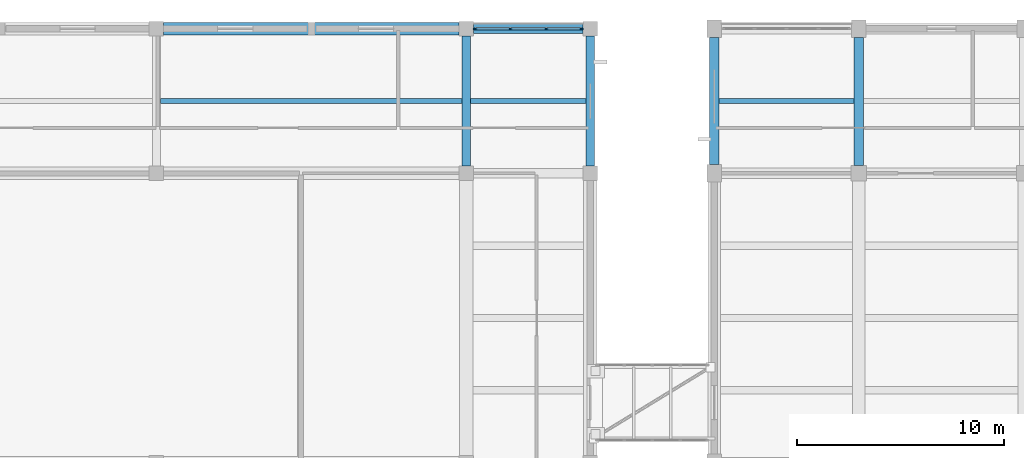
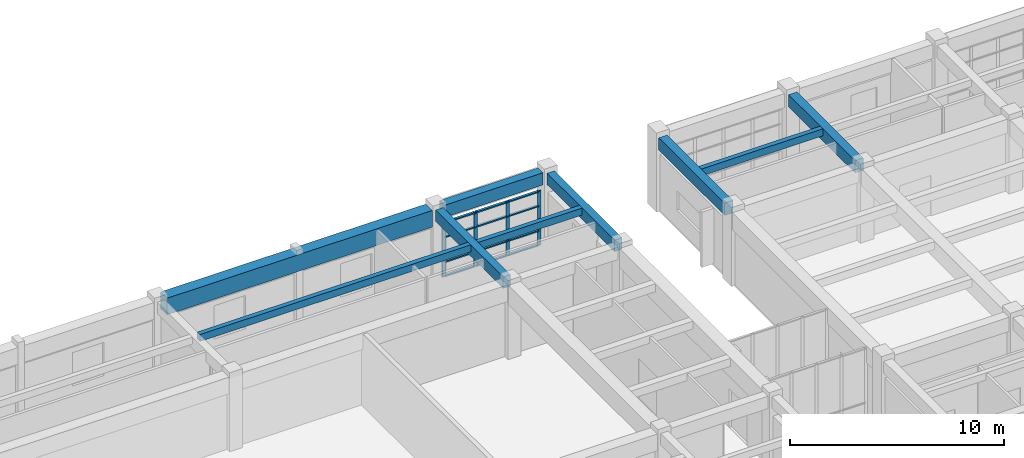
# One storey, part 29 of 70: 16 members, 9 beams, 1 element without a shape of its own.
"""IFC4 building model written with IfcOpenShell, lengths in metres."""

from ifc_helpers import new_model, si_unit, direction, frame, origin, origin_2d, place, context, subcontext, project, spatial, rectangle, extrude, material, layer, layer_set, material_profile, profile_set, type_object, element, aggregate, save


model = new_model("IFC4")

# Units and contexts
model_context = context("Model", 3, precision=1e-05, world=origin(), true_north=direction((0.0, 1.0)))
body_context = subcontext(model_context, "Body", "Model", "MODEL_VIEW")
ifc_project = project(units=[si_unit("LENGTHUNIT", "METRE"), si_unit("AREAUNIT", "SQUARE_METRE"), si_unit("VOLUMEUNIT", "CUBIC_METRE"), si_unit("PLANEANGLEUNIT", "RADIAN"), si_unit("MASSUNIT", "GRAM", prefix="KILO")], contexts=[model_context])

# Site, building, storey
site_placement = place(None, origin())
site = spatial("IfcSite", under=ifc_project, at=site_placement, CompositionType="ELEMENT")
building_placement = place(site_placement, origin())
building = spatial("IfcBuilding", under=site, at=building_placement, Name="Naurynzar Civic Courthouse", CompositionType="ELEMENT")
storey_placement = place(building_placement, frame((0.0, 0.0, 5.39990234375)))
storey = spatial("IfcBuildingStorey", under=building, at=storey_placement, Name="L02", CompositionType="ELEMENT", Elevation=5.39990234375)

# Beams
ifc_material_1 = material(Name="Concrete C40/50", Category="concrete")
ifc_material_profile_1 = material_profile(ifc_material_1, rectangle(XDim=0.25, YDim=0.39990234375, at=origin_2d()), Name="RCB 250x400")
ifc_profile_set_1 = profile_set([ifc_material_profile_1], Name="Concrete C40/50")
beam_type_1 = type_object("IfcBeamType", Name="BM-JST-250x400", PredefinedType="JOIST", material=ifc_profile_set_1)
beam_1_placement = place(storey_placement, frame((35.199951171875, 68.5, 4.030029296875), z_axis=(1.0, 0.0, 0.0), x_axis=(0.0, 1.0, 0.0)))
element("IfcBeam", 1, at=beam_1_placement, inside=storey, type_object=beam_type_1, Name="V1 secondary rib 163 L02", PredefinedType="JOIST", context=body_context, shape_type="SweptSolid", body=[
    extrude(rectangle(XDim=0.25, YDim=0.39990234375, at=origin_2d()), origin(), (0.0, 0.0, 1.0), 14.60009765625),
])
beam_2_placement = place(storey_placement, frame((50.199951171875, 68.5, 4.030029296875), z_axis=(1.0, 0.0, 0.0), x_axis=(0.0, 1.0, 0.0)))
element("IfcBeam", 2, at=beam_2_placement, inside=storey, type_object=beam_type_1, Name="V1 secondary rib 164 L02", PredefinedType="JOIST", context=body_context, shape_type="SweptSolid", body=[
    extrude(rectangle(XDim=0.25, YDim=0.39990234375, at=origin_2d()), origin(), (0.0, 0.0, 1.0), 5.60009765625),
])
beam_3_placement = place(storey_placement, frame((62.22509765625, 68.5, 4.0), z_axis=(1.0, 0.0, 0.0), x_axis=(0.0, 1.0, 0.0)))
element("IfcBeam", 3, at=beam_3_placement, inside=storey, type_object=beam_type_1, Name="V2 secondary rib 554 L02", PredefinedType="JOIST", context=body_context, shape_type="SweptSolid", body=[
    extrude(rectangle(XDim=0.25, YDim=0.39990234375, at=origin_2d()), origin(), (0.0, 0.0, 1.0), 6.5498046875),
])
ifc_material_2 = material(Name="Concrete C40/50", Category="concrete")
ifc_material_profile_2 = material_profile(ifc_material_2, rectangle(XDim=0.60009765625, YDim=0.949951171875, at=origin_2d()), Name="PTB 600x950")
ifc_profile_set_2 = profile_set([ifc_material_profile_2], Name="Concrete C40/50")
beam_type_2 = type_object("IfcBeamType", Name="BM-PT-600x950", PredefinedType="T_BEAM", material=ifc_profile_set_2)
beam_4_placement = place(storey_placement, frame((35.35009765625, 72.0, 3.755126953125), z_axis=(1.0, 0.0, 0.0), x_axis=(0.0, 1.0, 0.0)))
element("IfcBeam", 4, at=beam_4_placement, inside=storey, type_object=beam_type_2, Name="V1 beam X-133 L02", PredefinedType="T_BEAM", context=body_context, shape_type="SweptSolid", body=[
    extrude(rectangle(XDim=0.60009765625, YDim=0.949951171875, at=origin_2d()), origin(), (0.0, 0.0, 1.0), 14.2998046875),
])
ifc_material_3 = material(Name="Concrete C40/50", Category="concrete")
ifc_material_profile_3 = material_profile(ifc_material_3, rectangle(XDim=0.39990234375, YDim=0.64990234375, at=origin_2d()), Name="RCB 400x650")
ifc_profile_set_3 = profile_set([ifc_material_profile_3], Name="Concrete C40/50")
beam_type_3 = type_object("IfcBeamType", Name="BM-RC-400x650", PredefinedType="BEAM", material=ifc_profile_set_3)
for number, where, z_axis, x_axis, name in (
    (5, (50.0, 65.35009765625, 3.905029296875), (0.0, 1.0, 0.0), (-1.0, 0.0, 0.0), "V1 girder Y-148 L02"),
    (6, (56.0, 65.35009765625, 3.905029296875), (0.0, 1.0, 0.0), (-1.0, 0.0, 0.0), "V1 girder Y-151 L02"),
):
    element("IfcBeam", number, at=place(storey_placement, frame(where, z_axis=z_axis, x_axis=x_axis)), inside=storey, type_object=beam_type_3, Name=name, PredefinedType="BEAM", context=body_context, shape_type="SweptSolid", body=[
        extrude(rectangle(XDim=0.39990234375, YDim=0.64990234375, at=origin_2d()), origin(), (0.0, 0.0, 1.0), 6.2998046875),
    ])
ifc_material_4 = material(Name="Concrete C40/50", Category="concrete")
ifc_material_profile_4 = material_profile(ifc_material_4, rectangle(XDim=0.449951171875, YDim=0.699951171875, at=origin_2d()), Name="RCB 450x700")
ifc_profile_set_4 = profile_set([ifc_material_profile_4], Name="Concrete C40/50")
beam_type_4 = type_object("IfcBeamType", Name="BM-RC-450x700", PredefinedType="BEAM", material=ifc_profile_set_4)
beam_5_placement = place(storey_placement, frame((50.35009765625, 72.0, 3.880126953125), z_axis=(1.0, 0.0, 0.0), x_axis=(0.0, 1.0, 0.0)))
element("IfcBeam", 7, at=beam_5_placement, inside=storey, type_object=beam_type_4, Name="V1 beam X-134 L02", PredefinedType="BEAM", context=body_context, shape_type="SweptSolid", body=[
    extrude(rectangle(XDim=0.449951171875, YDim=0.699951171875, at=origin_2d()), origin(), (0.0, 0.0, 1.0), 5.2998046875),
])
beam_6_placement = place(storey_placement, frame((62.0, 65.425048828125, 3.85009765625), z_axis=(0.0, 1.0, 0.0), x_axis=(-1.0, 0.0, 0.0)))
element("IfcBeam", 8, at=beam_6_placement, inside=storey, type_object=beam_type_4, Name="V2 girder Y-501 L02", PredefinedType="BEAM", context=body_context, shape_type="SweptSolid", body=[
    extrude(rectangle(XDim=0.449951171875, YDim=0.699951171875, at=origin_2d()), origin(), (0.0, 0.0, 1.0), 6.14990234375),
])
beam_7_placement = place(storey_placement, frame((69.0, 65.375, 3.85009765625), z_axis=(0.0, 1.0, 0.0), x_axis=(-1.0, 0.0, 0.0)))
element("IfcBeam", 9, at=beam_7_placement, inside=storey, type_object=beam_type_4, Name="V2 girder Y-504 L02", PredefinedType="BEAM", context=body_context, shape_type="SweptSolid", body=[
    extrude(rectangle(XDim=0.449951171875, YDim=0.699951171875, at=origin_2d()), origin(), (0.0, 0.0, 1.0), 6.199951171875),
])

# Curtain wall, members
ifc_material_5 = material(Name="Aluminium 6063-T6", Category="aluminium")
ifc_layer = layer(ifc_material_5, 0.159912109375)
ifc_layer_set = layer_set([ifc_layer], Name="CW-UNIT-1800")
curtain_wall_type = type_object("IfcCurtainWallType", Name="CW-UNIT-1800", PredefinedType="NOTDEFINED", material=ifc_layer_set)
curtain_wall_placement = place(storey_placement, origin())
curtain_wall = element("IfcCurtainWall", 10, at=curtain_wall_placement, inside=storey, type_object=curtain_wall_type, Name="V1 unitised curtain wall 4 L02", PredefinedType="NOTDEFINED")
ifc_material_6 = material(Name="Aluminium 6063-T6", Category="aluminium")
ifc_material_profile_5 = material_profile(ifc_material_6, rectangle(XDim=0.070068359375, YDim=0.179931640625, at=origin_2d()), Name="ALU MULLION 70x180")
ifc_profile_set_5 = profile_set([ifc_material_profile_5], Name="Aluminium 6063-T6")
member_type_1 = type_object("IfcMemberType", Name="CWM-70x180", PredefinedType="MULLION", material=ifc_profile_set_5)
member_1_placement = place(storey_placement, frame((50.43505859375, 72.0, 0.0), z_axis=(0.0, 0.0, 1.0), x_axis=(0.0, 1.0, 0.0)))
member_1 = element("IfcMember", 11, at=member_1_placement, type_object=member_type_1, Name="CW-02 mullion 1", PredefinedType="MULLION", context=body_context, shape_type="SweptSolid", body=[
    extrude(rectangle(XDim=0.070068359375, YDim=0.179931640625, at=origin_2d()), origin(), (0.0, 0.0, 1.0), 3.110107421875),
])
member_2_placement = place(storey_placement, frame((52.13330078125, 72.0, 0.0), z_axis=(0.0, 0.0, 1.0), x_axis=(0.0, 1.0, 0.0)))
member_2 = element("IfcMember", 12, at=member_2_placement, type_object=member_type_1, Name="CW-02 mullion 2", PredefinedType="MULLION", context=body_context, shape_type="SweptSolid", body=[
    extrude(rectangle(XDim=0.070068359375, YDim=0.179931640625, at=origin_2d()), origin(), (0.0, 0.0, 1.0), 3.110107421875),
])
member_3_placement = place(storey_placement, frame((53.86669921875, 72.0, 0.0), z_axis=(0.0, 0.0, 1.0), x_axis=(0.0, 1.0, 0.0)))
member_3 = element("IfcMember", 13, at=member_3_placement, type_object=member_type_1, Name="CW-02 mullion 3", PredefinedType="MULLION", context=body_context, shape_type="SweptSolid", body=[
    extrude(rectangle(XDim=0.070068359375, YDim=0.179931640625, at=origin_2d()), origin(), (0.0, 0.0, 1.0), 3.110107421875),
])
member_4_placement = place(storey_placement, frame((55.56494140625, 72.0, 0.0), z_axis=(0.0, 0.0, 1.0), x_axis=(0.0, 1.0, 0.0)))
member_4 = element("IfcMember", 14, at=member_4_placement, type_object=member_type_1, Name="CW-02 mullion 4", PredefinedType="MULLION", context=body_context, shape_type="SweptSolid", body=[
    extrude(rectangle(XDim=0.070068359375, YDim=0.179931640625, at=origin_2d()), origin(), (0.0, 0.0, 1.0), 3.110107421875),
])
ifc_material_7 = material(Name="Aluminium 6063-T6", Category="aluminium")
ifc_material_profile_6 = material_profile(ifc_material_7, rectangle(XDim=0.1298828125, YDim=0.070068359375, at=origin_2d()), Name="ALU TRANSOM 70x130")
ifc_profile_set_6 = profile_set([ifc_material_profile_6], Name="Aluminium 6063-T6")
member_type_2 = type_object("IfcMemberType", Name="CWT-70x130", PredefinedType="USERDEFINED", material=ifc_profile_set_6)
member_5_placement = place(storey_placement, frame((50.469970703125, 72.0, 0.03515625), z_axis=(1.0, 0.0, 0.0), x_axis=(0.0, 1.0, 0.0)))
member_5 = element("IfcMember", 15, at=member_5_placement, type_object=member_type_2, Name="CW-02 transom 1.1", ObjectType="TRANSOM", PredefinedType="USERDEFINED", context=body_context, shape_type="SweptSolid", body=[
    extrude(rectangle(XDim=0.1298828125, YDim=0.070068359375, at=origin_2d()), origin(), (0.0, 0.0, 1.0), 1.62841796875),
])
member_6_placement = place(storey_placement, frame((50.469970703125, 72.0, 0.85009765625), z_axis=(1.0, 0.0, 0.0), x_axis=(0.0, 1.0, 0.0)))
member_6 = element("IfcMember", 16, at=member_6_placement, type_object=member_type_2, Name="CW-02 transom 1.2", ObjectType="TRANSOM", PredefinedType="USERDEFINED", context=body_context, shape_type="SweptSolid", body=[
    extrude(rectangle(XDim=0.1298828125, YDim=0.070068359375, at=origin_2d()), origin(), (0.0, 0.0, 1.0), 1.62841796875),
])
member_7_placement = place(storey_placement, frame((50.469970703125, 72.0, 2.260009765625), z_axis=(1.0, 0.0, 0.0), x_axis=(0.0, 1.0, 0.0)))
member_7 = element("IfcMember", 17, at=member_7_placement, type_object=member_type_2, Name="CW-02 transom 1.3", ObjectType="TRANSOM", PredefinedType="USERDEFINED", context=body_context, shape_type="SweptSolid", body=[
    extrude(rectangle(XDim=0.1298828125, YDim=0.070068359375, at=origin_2d()), origin(), (0.0, 0.0, 1.0), 1.62841796875),
])
member_8_placement = place(storey_placement, frame((50.469970703125, 72.0, 3.0751953125), z_axis=(1.0, 0.0, 0.0), x_axis=(0.0, 1.0, 0.0)))
member_8 = element("IfcMember", 18, at=member_8_placement, type_object=member_type_2, Name="CW-02 transom 1.4", ObjectType="TRANSOM", PredefinedType="USERDEFINED", context=body_context, shape_type="SweptSolid", body=[
    extrude(rectangle(XDim=0.1298828125, YDim=0.070068359375, at=origin_2d()), origin(), (0.0, 0.0, 1.0), 1.62841796875),
])
member_9_placement = place(storey_placement, frame((52.168212890625, 72.0, 0.03515625), z_axis=(1.0, 0.0, 0.0), x_axis=(0.0, 1.0, 0.0)))
member_9 = element("IfcMember", 19, at=member_9_placement, type_object=member_type_2, Name="CW-02 transom 2.1", ObjectType="TRANSOM", PredefinedType="USERDEFINED", context=body_context, shape_type="SweptSolid", body=[
    extrude(rectangle(XDim=0.1298828125, YDim=0.070068359375, at=origin_2d()), origin(), (0.0, 0.0, 1.0), 1.66357421875),
])
member_10_placement = place(storey_placement, frame((52.168212890625, 72.0, 0.85009765625), z_axis=(1.0, 0.0, 0.0), x_axis=(0.0, 1.0, 0.0)))
member_10 = element("IfcMember", 20, at=member_10_placement, type_object=member_type_2, Name="CW-02 transom 2.2", ObjectType="TRANSOM", PredefinedType="USERDEFINED", context=body_context, shape_type="SweptSolid", body=[
    extrude(rectangle(XDim=0.1298828125, YDim=0.070068359375, at=origin_2d()), origin(), (0.0, 0.0, 1.0), 1.66357421875),
])
member_11_placement = place(storey_placement, frame((52.168212890625, 72.0, 2.260009765625), z_axis=(1.0, 0.0, 0.0), x_axis=(0.0, 1.0, 0.0)))
member_11 = element("IfcMember", 21, at=member_11_placement, type_object=member_type_2, Name="CW-02 transom 2.3", ObjectType="TRANSOM", PredefinedType="USERDEFINED", context=body_context, shape_type="SweptSolid", body=[
    extrude(rectangle(XDim=0.1298828125, YDim=0.070068359375, at=origin_2d()), origin(), (0.0, 0.0, 1.0), 1.66357421875),
])
member_12_placement = place(storey_placement, frame((52.168212890625, 72.0, 3.0751953125), z_axis=(1.0, 0.0, 0.0), x_axis=(0.0, 1.0, 0.0)))
member_12 = element("IfcMember", 22, at=member_12_placement, type_object=member_type_2, Name="CW-02 transom 2.4", ObjectType="TRANSOM", PredefinedType="USERDEFINED", context=body_context, shape_type="SweptSolid", body=[
    extrude(rectangle(XDim=0.1298828125, YDim=0.070068359375, at=origin_2d()), origin(), (0.0, 0.0, 1.0), 1.66357421875),
])
member_13_placement = place(storey_placement, frame((53.901611328125, 72.0, 0.03515625), z_axis=(1.0, 0.0, 0.0), x_axis=(0.0, 1.0, 0.0)))
member_13 = element("IfcMember", 23, at=member_13_placement, type_object=member_type_2, Name="CW-02 transom 3.1", ObjectType="TRANSOM", PredefinedType="USERDEFINED", context=body_context, shape_type="SweptSolid", body=[
    extrude(rectangle(XDim=0.1298828125, YDim=0.070068359375, at=origin_2d()), origin(), (0.0, 0.0, 1.0), 1.62841796875),
])
member_14_placement = place(storey_placement, frame((53.901611328125, 72.0, 0.85009765625), z_axis=(1.0, 0.0, 0.0), x_axis=(0.0, 1.0, 0.0)))
member_14 = element("IfcMember", 24, at=member_14_placement, type_object=member_type_2, Name="CW-02 transom 3.2", ObjectType="TRANSOM", PredefinedType="USERDEFINED", context=body_context, shape_type="SweptSolid", body=[
    extrude(rectangle(XDim=0.1298828125, YDim=0.070068359375, at=origin_2d()), origin(), (0.0, 0.0, 1.0), 1.62841796875),
])
member_15_placement = place(storey_placement, frame((53.901611328125, 72.0, 2.260009765625), z_axis=(1.0, 0.0, 0.0), x_axis=(0.0, 1.0, 0.0)))
member_15 = element("IfcMember", 25, at=member_15_placement, type_object=member_type_2, Name="CW-02 transom 3.3", ObjectType="TRANSOM", PredefinedType="USERDEFINED", context=body_context, shape_type="SweptSolid", body=[
    extrude(rectangle(XDim=0.1298828125, YDim=0.070068359375, at=origin_2d()), origin(), (0.0, 0.0, 1.0), 1.62841796875),
])
member_16_placement = place(storey_placement, frame((53.901611328125, 72.0, 3.0751953125), z_axis=(1.0, 0.0, 0.0), x_axis=(0.0, 1.0, 0.0)))
member_16 = element("IfcMember", 26, at=member_16_placement, type_object=member_type_2, Name="CW-02 transom 3.4", ObjectType="TRANSOM", PredefinedType="USERDEFINED", context=body_context, shape_type="SweptSolid", body=[
    extrude(rectangle(XDim=0.1298828125, YDim=0.070068359375, at=origin_2d()), origin(), (0.0, 0.0, 1.0), 1.62841796875),
])
aggregate(curtain_wall, [member_1, member_2, member_3, member_4, member_5, member_6, member_7, member_8, member_9, member_10, member_11, member_12, member_13, member_14, member_15, member_16])

save(model, "model.ifc")
